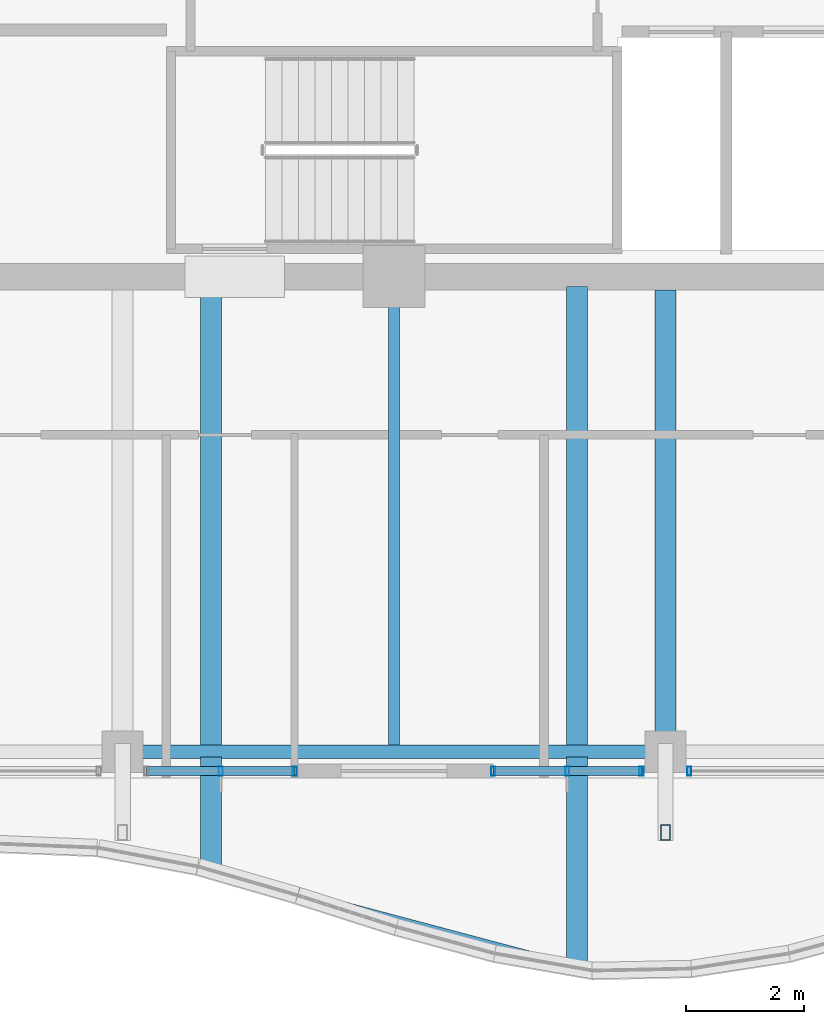
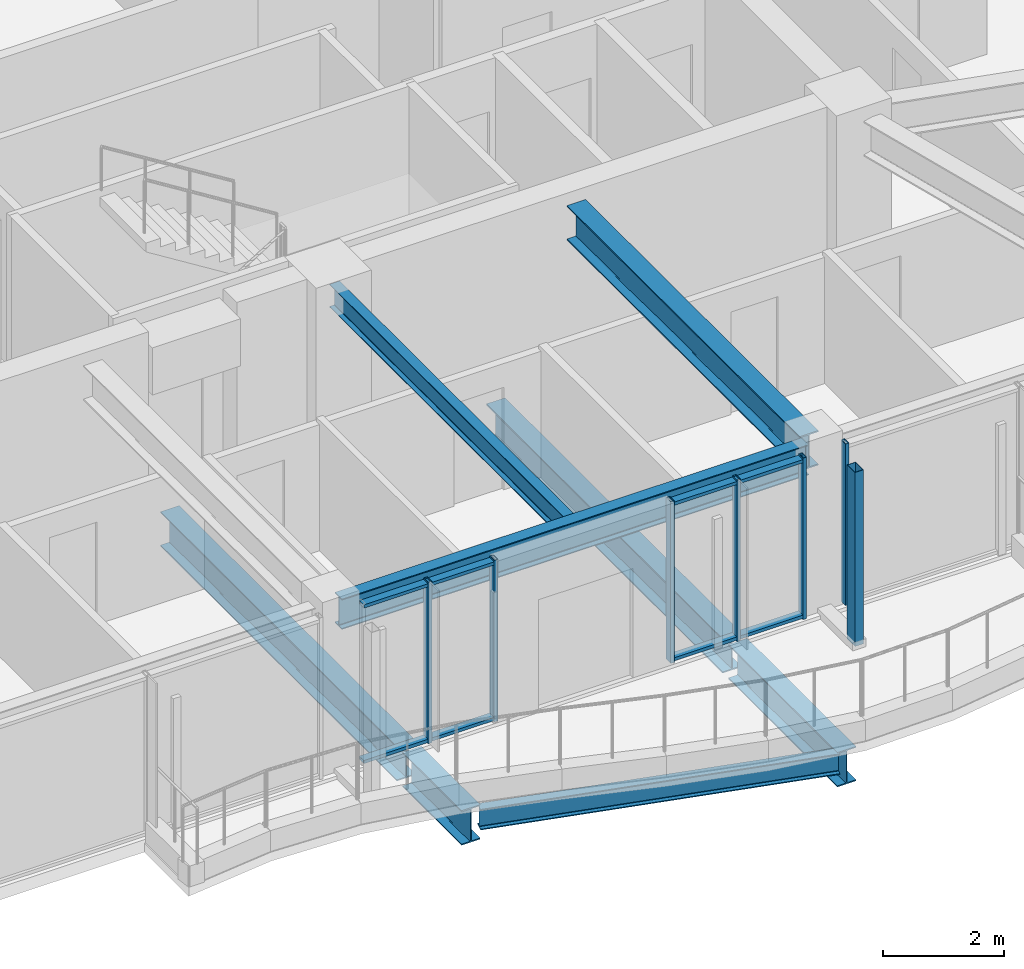
# One storey, part 5 of 31: 11 members, 8 beams, 3 elements without a shape of their own.
"""IFC4 building model written with IfcOpenShell, lengths in metres."""

from ifc_helpers import new_model, si_unit, direction, frame, origin, origin_2d, place, context, subcontext, project, spatial, hollow_rectangle, i_section, extrude, material, material_profile, profile_set, type_object, element, aggregate, save


model = new_model("IFC4")

# Units and contexts
model_context = context("Model", 3, precision=1e-05, world=origin(), true_north=direction((0.0, 1.0)))
body_context = subcontext(model_context, "Body", "Model", "MODEL_VIEW")
ifc_project = project(units=[si_unit("LENGTHUNIT", "METRE"), si_unit("AREAUNIT", "SQUARE_METRE"), si_unit("VOLUMEUNIT", "CUBIC_METRE"), si_unit("PLANEANGLEUNIT", "RADIAN"), si_unit("MASSUNIT", "GRAM", prefix="KILO")], contexts=[model_context])

# Site, building, storey
site_placement = place(None, origin())
site = spatial("IfcSite", under=ifc_project, at=site_placement, CompositionType="ELEMENT")
building_placement = place(site_placement, origin())
building = spatial("IfcBuilding", under=site, at=building_placement, Name="Kolvaren Belvedere", CompositionType="ELEMENT")
storey_placement = place(building_placement, frame((0.0, 0.0, 247.89990234375)))
storey = spatial("IfcBuildingStorey", under=building, at=storey_placement, Name="L72", CompositionType="ELEMENT", Elevation=247.89990234375)

# Beams
ifc_material_1 = material(Name="Structural steel ASTM A992 Grade 50", Category="steel")
ifc_material_profile_1 = material_profile(ifc_material_1, i_section(OverallWidth=0.35498046875, OverallDepth=0.696044921875, WebThickness=0.015380859375, FlangeThickness=0.02490234375, FilletRadius=0.02197265625, at=origin_2d()), Name="W27X146")
ifc_profile_set_1 = profile_set([ifc_material_profile_1], Name="Structural steel ASTM A992 Grade 50")
beam_type_1 = type_object("IfcBeamType", Name="BM-CANT-BAL", PredefinedType="BEAM", material=ifc_profile_set_1)
beam_1_placement = place(storey_placement, frame((-3.10009765625, -18.044921875, -0.597900390625), z_axis=(0.0, -1.0, 0.0), x_axis=(1.0, 0.0, 0.0)))
element("IfcBeam", 1, at=beam_1_placement, inside=storey, type_object=beam_type_1, Name="L72 Planted Balcony Cantilever BAL-S-1", PredefinedType="BEAM", context=body_context, shape_type="SweptSolid", body=[
    extrude(i_section(OverallWidth=0.35498046875, OverallDepth=0.696044921875, WebThickness=0.015380859375, FlangeThickness=0.02490234375, FilletRadius=0.02197265625, at=origin_2d()), origin(), (0.0, 0.0, 1.0), 1.94189453125),
])
beam_2_placement = place(storey_placement, frame((3.10009765625, -18.044921875, -0.597900390625), z_axis=(0.0, -1.0, 0.0), x_axis=(1.0, 0.0, 0.0)))
element("IfcBeam", 2, at=beam_2_placement, inside=storey, type_object=beam_type_1, Name="L72 Planted Balcony Cantilever BAL-S-2", PredefinedType="BEAM", context=body_context, shape_type="SweptSolid", body=[
    extrude(i_section(OverallWidth=0.35498046875, OverallDepth=0.696044921875, WebThickness=0.015380859375, FlangeThickness=0.02490234375, FilletRadius=0.02197265625, at=origin_2d()), origin(), (0.0, 0.0, 1.0), 3.58984375),
])
ifc_material_2 = material(Name="Structural steel ASTM A992 Grade 50", Category="steel")
ifc_material_profile_2 = material_profile(ifc_material_2, i_section(OverallWidth=0.180908203125, OverallDepth=0.4169921875, WebThickness=0.010986328125, FlangeThickness=0.018310546875, FilletRadius=0.013916015625, at=origin_2d()), Name="W16X57")
ifc_profile_set_2 = profile_set([ifc_material_profile_2], Name="Structural steel ASTM A992 Grade 50")
beam_type_2 = type_object("IfcBeamType", Name="BM-EDGE-W16X57", PredefinedType="BEAM", material=ifc_profile_set_2)
beam_3_placement = place(storey_placement, frame((-2.964599609375, -20.022705078125, -0.45849609375), z_axis=(0.966445311896, -0.256872456901, 0.0), x_axis=(0.256872456901, 0.966445311896, 0.0)))
element("IfcBeam", 3, at=beam_3_placement, inside=storey, type_object=beam_type_2, Name="L72 Balcony Tip Header Beam BAL-S", PredefinedType="BEAM", context=body_context, shape_type="SweptSolid", body=[
    extrude(i_section(OverallWidth=0.180908203125, OverallDepth=0.4169921875, WebThickness=0.010986328125, FlangeThickness=0.018310546875, FilletRadius=0.013916015625, at=origin_2d()), origin(), (0.0, 0.0, 1.0), 6.135009765625),
])
ifc_material_3 = material(Name="Structural steel ASTM A992 Grade 50", Category="steel")
ifc_material_profile_3 = material_profile(ifc_material_3, i_section(OverallWidth=0.35498046875, OverallDepth=0.696044921875, WebThickness=0.015380859375, FlangeThickness=0.02490234375, FilletRadius=0.02197265625, at=origin_2d()), Name="W27X146")
ifc_profile_set_3 = profile_set([ifc_material_profile_3], Name="Structural steel ASTM A992 Grade 50")
beam_type_3 = type_object("IfcBeamType", Name="BM-GIRD-W27X146", PredefinedType="BEAM", material=ifc_profile_set_3)
for number, where, z_axis, x_axis, name in (
    (4, (-3.10009765625, -10.06494140625, -0.597900390625), (0.0, -1.0, 0.0), (1.0, 0.0, 0.0), "L72 Balcony Interior Back-Span Girder BAL-S-1"),
    (5, (3.10009765625, -10.06494140625, -0.597900390625), (0.0, -1.0, 0.0), (1.0, 0.0, 0.0), "L72 Balcony Interior Back-Span Girder BAL-S-2"),
):
    element("IfcBeam", number, at=place(storey_placement, frame(where, z_axis=z_axis, x_axis=x_axis)), inside=storey, type_object=beam_type_3, Name=name, PredefinedType="BEAM", context=body_context, shape_type="SweptSolid", body=[
        extrude(i_section(OverallWidth=0.35498046875, OverallDepth=0.696044921875, WebThickness=0.015380859375, FlangeThickness=0.02490234375, FilletRadius=0.02197265625, at=origin_2d()), origin(), (0.0, 0.0, 1.0), 7.7900390625),
    ])
beam_4_placement = place(storey_placement, frame((4.60009765625, -10.125, 2.902099609375), z_axis=(0.0, -1.0, 0.0), x_axis=(1.0, 0.0, 0.0)))
element("IfcBeam", 6, at=beam_4_placement, inside=storey, type_object=beam_type_3, Name="L72 South Radial Girder P", PredefinedType="BEAM", context=body_context, shape_type="SweptSolid", body=[
    extrude(i_section(OverallWidth=0.35498046875, OverallDepth=0.696044921875, WebThickness=0.015380859375, FlangeThickness=0.02490234375, FilletRadius=0.02197265625, at=origin_2d()), origin(), (0.0, 0.0, 1.0), 7.66748046875),
])
ifc_material_4 = material(Name="Structural steel ASTM A992 Grade 50", Category="steel")
ifc_material_profile_4 = material_profile(ifc_material_4, i_section(OverallWidth=0.19091796875, OverallDepth=0.4599609375, WebThickness=0.010009765625, FlangeThickness=0.01611328125, FilletRadius=0.014892578125, at=origin_2d()), Name="W18X55")
ifc_profile_set_4 = profile_set([ifc_material_profile_4], Name="Structural steel ASTM A992 Grade 50")
beam_type_4 = type_object("IfcBeamType", Name="BM-JOIST-W18X55", PredefinedType="BEAM", material=ifc_profile_set_4)
beam_5_placement = place(storey_placement, frame((0.0, -10.125, 3.02001953125), z_axis=(0.0, -1.0, 0.0), x_axis=(1.0, 0.0, 0.0)))
element("IfcBeam", 7, at=beam_5_placement, inside=storey, type_object=beam_type_4, Name="L72 South Centre Floor Beam", PredefinedType="BEAM", context=body_context, shape_type="SweptSolid", body=[
    extrude(i_section(OverallWidth=0.19091796875, OverallDepth=0.4599609375, WebThickness=0.010009765625, FlangeThickness=0.01611328125, FilletRadius=0.014892578125, at=origin_2d()), origin(), (0.0, 0.0, 1.0), 7.71044921875),
])
ifc_material_5 = material(Name="Structural steel ASTM A992 Grade 50", Category="steel")
ifc_material_profile_5 = material_profile(ifc_material_5, i_section(OverallWidth=0.22900390625, OverallDepth=0.612060546875, WebThickness=0.011962890625, FlangeThickness=0.01953125, FilletRadius=0.01806640625, at=origin_2d()), Name="W24X84")
ifc_profile_set_5 = profile_set([ifc_material_profile_5], Name="Structural steel ASTM A992 Grade 50")
beam_type_5 = type_object("IfcBeamType", Name="BM-SPAN-W24X84", PredefinedType="SPANDREL", material=ifc_profile_set_5)
beam_6_placement = place(storey_placement, frame((-4.4423828125, -17.949951171875, 2.944091796875), z_axis=(1.0, 0.0, 0.0), x_axis=(0.0, 1.0, 0.0)))
element("IfcBeam", 8, at=beam_6_placement, inside=storey, type_object=beam_type_5, Name="L72 Perimeter Spandrel S2-S3", PredefinedType="SPANDREL", context=body_context, shape_type="SweptSolid", body=[
    extrude(i_section(OverallWidth=0.22900390625, OverallDepth=0.612060546875, WebThickness=0.011962890625, FlangeThickness=0.01953125, FilletRadius=0.01806640625, at=origin_2d()), origin(), (0.0, 0.0, 1.0), 8.884765625),
])

# Curtain wall, member
ifc_material_6 = material(Name="Anodised pale-metal aluminium AA 6063-T6", Category="aluminium")
curtain_wall_type = type_object("IfcCurtainWallType", Name="CW-Z5-HIGH", PredefinedType="NOTDEFINED", material=ifc_material_6)
curtain_wall_1_placement = place(storey_placement, origin())
curtain_wall_1 = element("IfcCurtainWall", 9, at=curtain_wall_1_placement, inside=storey, type_object=curtain_wall_type, Name="L72 Unitised Curtain Wall FCW-L72-S1-B1", PredefinedType="NOTDEFINED")
ifc_material_7 = material(Name="Anodised pale-metal aluminium AA 6063-T6", Category="aluminium")
ifc_material_profile_6 = material_profile(ifc_material_7, hollow_rectangle(XDim=0.070068359375, YDim=0.14990234375, WallThickness=0.004150390625, at=origin_2d()), Name="ALU-MUL-150X70")
ifc_profile_set_6 = profile_set([ifc_material_profile_6], Name="Anodised pale-metal aluminium AA 6063-T6")
member_type_1 = type_object("IfcMemberType", Name="CW-MUL-150", PredefinedType="MULLION", material=ifc_profile_set_6)
member_1_placement = place(storey_placement, frame((5.0048828125, -18.280029296875, 0.0), z_axis=(0.0, 0.0, 1.0), x_axis=(1.0, 0.0, 0.0)))
member_1 = element("IfcMember", 10, at=member_1_placement, type_object=member_type_1, Name="FCW-L72-S1-B1 Unitised Mullion 3", PredefinedType="MULLION", context=body_context, shape_type="SweptSolid", body=[
    extrude(hollow_rectangle(XDim=0.070068359375, YDim=0.14990234375, WallThickness=0.004150390625, at=origin_2d()), origin(), (0.0, 0.0, 1.0), 3.25),
])
aggregate(curtain_wall_1, [member_1])

# Curtain wall, members
curtain_wall_2_placement = place(storey_placement, origin())
curtain_wall_2 = element("IfcCurtainWall", 11, at=curtain_wall_2_placement, inside=storey, type_object=curtain_wall_type, Name="L72 Unitised Curtain Wall FCW-L72-S1-B2", PredefinedType="NOTDEFINED")
member_2_placement = place(storey_placement, frame((4.195068359375, -18.280029296875, 0.0), z_axis=(0.0, 0.0, 1.0), x_axis=(1.0, 0.0, 0.0)))
member_2 = element("IfcMember", 12, at=member_2_placement, type_object=member_type_1, Name="FCW-L72-S1-B2 Unitised Mullion 1", PredefinedType="MULLION", context=body_context, shape_type="SweptSolid", body=[
    extrude(hollow_rectangle(XDim=0.070068359375, YDim=0.14990234375, WallThickness=0.004150390625, at=origin_2d()), origin(), (0.0, 0.0, 1.0), 3.25),
])
member_3_placement = place(storey_placement, frame((2.9375, -18.280029296875, 0.0), z_axis=(0.0, 0.0, 1.0), x_axis=(1.0, 0.0, 0.0)))
member_3 = element("IfcMember", 13, at=member_3_placement, type_object=member_type_1, Name="FCW-L72-S1-B2 Unitised Mullion 2", PredefinedType="MULLION", context=body_context, shape_type="SweptSolid", body=[
    extrude(hollow_rectangle(XDim=0.070068359375, YDim=0.14990234375, WallThickness=0.004150390625, at=origin_2d()), origin(), (0.0, 0.0, 1.0), 3.25),
])
member_4_placement = place(storey_placement, frame((1.679931640625, -18.280029296875, 0.0), z_axis=(0.0, 0.0, 1.0), x_axis=(1.0, 0.0, 0.0)))
member_4 = element("IfcMember", 14, at=member_4_placement, type_object=member_type_1, Name="FCW-L72-S1-B2 Unitised Mullion 3", PredefinedType="MULLION", context=body_context, shape_type="SweptSolid", body=[
    extrude(hollow_rectangle(XDim=0.070068359375, YDim=0.14990234375, WallThickness=0.004150390625, at=origin_2d()), origin(), (0.0, 0.0, 1.0), 3.25),
])

curtain_wall_3_placement = place(storey_placement, origin())
curtain_wall_3 = element("IfcCurtainWall", 15, at=curtain_wall_3_placement, inside=storey, type_object=curtain_wall_type, Name="L72 Unitised Curtain Wall FCW-L72-S2-B1", PredefinedType="NOTDEFINED")
member_5_placement = place(storey_placement, frame((-1.679931640625, -18.280029296875, 0.0), z_axis=(0.0, 0.0, 1.0), x_axis=(1.0, 0.0, 0.0)))
member_5 = element("IfcMember", 16, at=member_5_placement, type_object=member_type_1, Name="FCW-L72-S2-B1 Unitised Mullion 1", PredefinedType="MULLION", context=body_context, shape_type="SweptSolid", body=[
    extrude(hollow_rectangle(XDim=0.070068359375, YDim=0.14990234375, WallThickness=0.004150390625, at=origin_2d()), origin(), (0.0, 0.0, 1.0), 3.25),
])
member_6_placement = place(storey_placement, frame((-2.9375, -18.280029296875, 0.0), z_axis=(0.0, 0.0, 1.0), x_axis=(1.0, 0.0, 0.0)))
member_6 = element("IfcMember", 17, at=member_6_placement, type_object=member_type_1, Name="FCW-L72-S2-B1 Unitised Mullion 2", PredefinedType="MULLION", context=body_context, shape_type="SweptSolid", body=[
    extrude(hollow_rectangle(XDim=0.070068359375, YDim=0.14990234375, WallThickness=0.004150390625, at=origin_2d()), origin(), (0.0, 0.0, 1.0), 3.25),
])

# Member
ifc_material_8 = material(Name="Anodised pale-metal aluminium AA 6063-T6", Category="aluminium")
ifc_material_profile_7 = material_profile(ifc_material_8, hollow_rectangle(XDim=0.06494140625, YDim=0.14990234375, WallThickness=0.00390625, at=origin_2d()), Name="ALU-TRN-150X65")
ifc_profile_set_7 = profile_set([ifc_material_profile_7], Name="Anodised pale-metal aluminium AA 6063-T6")
member_type_2 = type_object("IfcMemberType", Name="CW-TRN-150", PredefinedType="USERDEFINED", material=ifc_profile_set_7)
member_7_placement = place(storey_placement, frame((4.195068359375, -18.280029296875, 0.06005859375), z_axis=(-1.0, 0.0, 0.0), x_axis=(0.0, 0.0, 1.0)))
member_7 = element("IfcMember", 18, at=member_7_placement, type_object=member_type_2, Name="FCW-L72-S1-B2 Sill Transom", ObjectType="TRANSOM", PredefinedType="USERDEFINED", context=body_context, shape_type="SweptSolid", body=[
    extrude(hollow_rectangle(XDim=0.06494140625, YDim=0.14990234375, WallThickness=0.00390625, at=origin_2d()), origin(), (0.0, 0.0, 1.0), 2.51513671875),
])

member_8_placement = place(storey_placement, frame((4.195068359375, -18.280029296875, 3.190185546875), z_axis=(-1.0, 0.0, 0.0), x_axis=(0.0, 0.0, 1.0)))
member_8 = element("IfcMember", 19, at=member_8_placement, type_object=member_type_2, Name="FCW-L72-S1-B2 Head Transom", ObjectType="TRANSOM", PredefinedType="USERDEFINED", context=body_context, shape_type="SweptSolid", body=[
    extrude(hollow_rectangle(XDim=0.06494140625, YDim=0.14990234375, WallThickness=0.00390625, at=origin_2d()), origin(), (0.0, 0.0, 1.0), 2.51513671875),
])

aggregate(curtain_wall_2, [member_2, member_3, member_4, member_7, member_8])

member_9_placement = place(storey_placement, frame((-1.679931640625, -18.280029296875, 0.06005859375), z_axis=(-1.0, 0.0, 0.0), x_axis=(0.0, 0.0, 1.0)))
member_9 = element("IfcMember", 20, at=member_9_placement, type_object=member_type_2, Name="FCW-L72-S2-B1 Sill Transom", ObjectType="TRANSOM", PredefinedType="USERDEFINED", context=body_context, shape_type="SweptSolid", body=[
    extrude(hollow_rectangle(XDim=0.06494140625, YDim=0.14990234375, WallThickness=0.00390625, at=origin_2d()), origin(), (0.0, 0.0, 1.0), 2.51513671875),
])

member_10_placement = place(storey_placement, frame((-1.679931640625, -18.280029296875, 3.190185546875), z_axis=(-1.0, 0.0, 0.0), x_axis=(0.0, 0.0, 1.0)))
member_10 = element("IfcMember", 21, at=member_10_placement, type_object=member_type_2, Name="FCW-L72-S2-B1 Head Transom", ObjectType="TRANSOM", PredefinedType="USERDEFINED", context=body_context, shape_type="SweptSolid", body=[
    extrude(hollow_rectangle(XDim=0.06494140625, YDim=0.14990234375, WallThickness=0.00390625, at=origin_2d()), origin(), (0.0, 0.0, 1.0), 2.51513671875),
])

aggregate(curtain_wall_3, [member_5, member_6, member_9, member_10])

ifc_material_9 = material(Name="Anodised pale-metal aluminium AA 6063-T6", Category="aluminium")
ifc_material_profile_8 = material_profile(ifc_material_9, hollow_rectangle(XDim=0.159912109375, YDim=0.260009765625, WallThickness=0.006591796875, at=origin_2d()), Name="ALU-PF-260X160")
ifc_profile_set_8 = profile_set([ifc_material_profile_8], Name="Anodised pale-metal aluminium AA 6063-T6")
member_type_3 = type_object("IfcMemberType", Name="PF-FRAME-260", PredefinedType="USERDEFINED", material=ifc_profile_set_8)
member_11_placement = place(storey_placement, frame((4.60009765625, -19.320068359375, 0.0), z_axis=(0.0, 0.0, 1.0), x_axis=(1.0, 0.0, 0.0)))
element("IfcMember", 22, at=member_11_placement, inside=storey, type_object=member_type_3, Name="L72 Outboard Picture-Frame Vertical S1", ObjectType="PICTURE FRAME FIN", PredefinedType="USERDEFINED", context=body_context, shape_type="SweptSolid", body=[
    extrude(hollow_rectangle(XDim=0.159912109375, YDim=0.260009765625, WallThickness=0.006591796875, at=origin_2d()), origin(), (0.0, 0.0, 1.0), 3.5),
])

save(model, "model.ifc")
